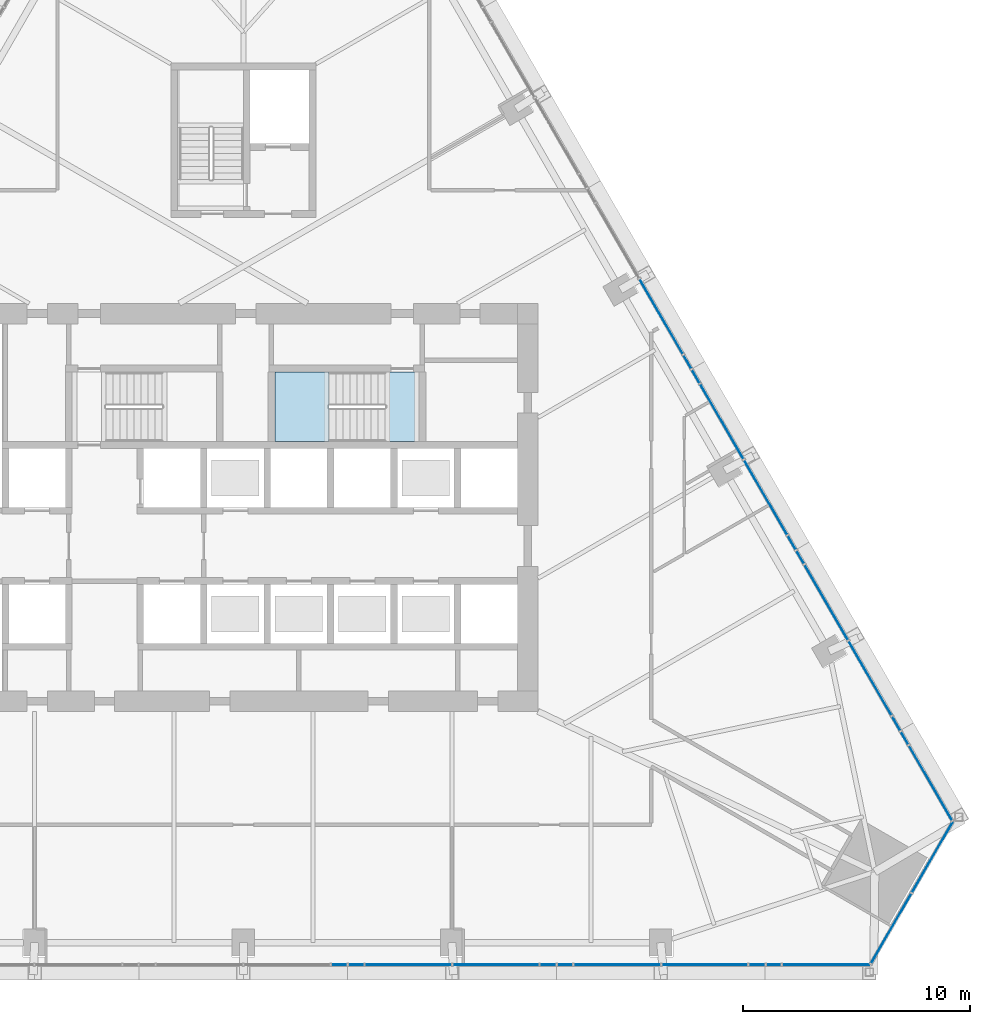
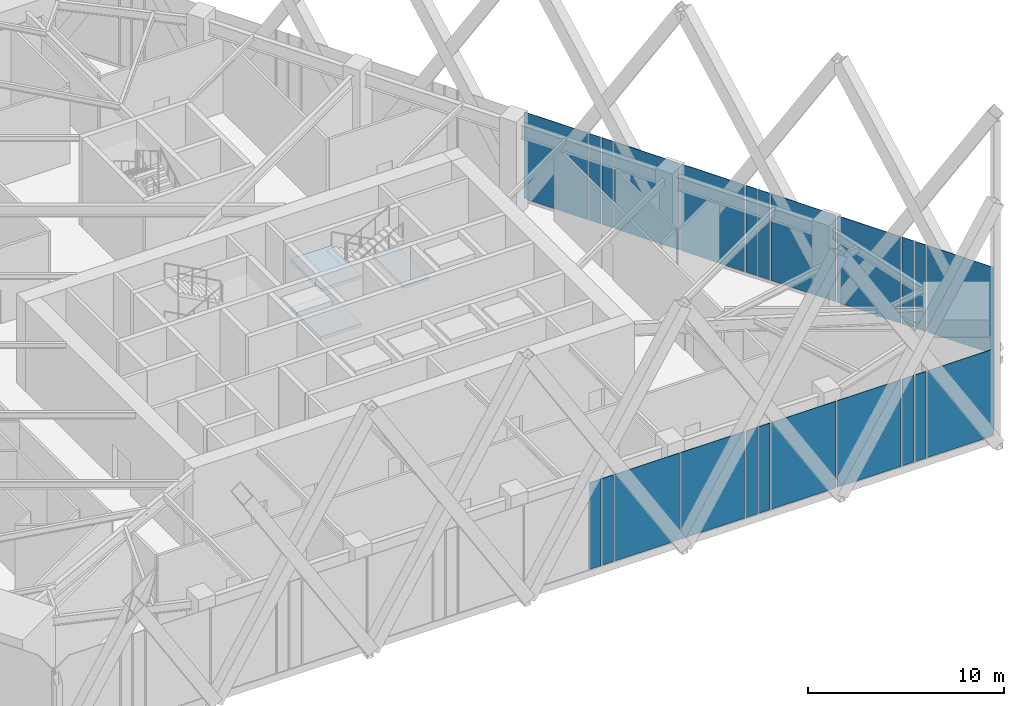
# One storey, part 13 of 21: 25 plates, 3 slabs, 4 elements without a shape of their own.
"""IFC4 building model written with IfcOpenShell, lengths in metres."""

from ifc_helpers import new_model, si_unit, direction, frame, origin, place, context, subcontext, project, spatial, polyline, outline, extrude, material, layer, layer_set, type_object, element, aggregate, save


model = new_model("IFC4")

# Units and contexts
model_context = context("Model", 3, precision=1e-05, world=origin(), true_north=direction((0.0, 1.0)))
body_context = subcontext(model_context, "Body", "Model", "MODEL_VIEW")
ifc_project = project(units=[si_unit("LENGTHUNIT", "METRE"), si_unit("AREAUNIT", "SQUARE_METRE"), si_unit("VOLUMEUNIT", "CUBIC_METRE"), si_unit("PLANEANGLEUNIT", "RADIAN"), si_unit("MASSUNIT", "GRAM", prefix="KILO")], contexts=[model_context])

# Site, building, storey
site_placement = place(None, origin())
site = spatial("IfcSite", under=ifc_project, at=site_placement, CompositionType="ELEMENT")
building_placement = place(site_placement, origin())
building = spatial("IfcBuilding", under=site, at=building_placement, Name="Firuza Gate Tower and Library", CompositionType="ELEMENT")
storey_placement = place(building_placement, frame((0.0, 0.0, 140.800048828125)))
storey = spatial("IfcBuildingStorey", under=building, at=storey_placement, Name="L32", CompositionType="ELEMENT", Elevation=140.800048828125)

# Curtain wall, plates
ifc_material_1 = material(Name="Aluminium 6063-T6", Category="aluminium")
ifc_layer_1 = layer(ifc_material_1, 0.14990234375)
ifc_layer_set_1 = layer_set([ifc_layer_1], Name="Corner curtain wall, chamfers")
curtain_wall_type_1 = type_object("IfcCurtainWallType", Name="Corner curtain wall, chamfers", PredefinedType="NOTDEFINED", material=ifc_layer_set_1)
placement = place(storey_placement, origin())
curtain_wall_1 = element("IfcCurtainWall", 1, at=placement, inside=storey, type_object=curtain_wall_type_1, Name="CW4 L32 SE corner", PredefinedType="NOTDEFINED")
ifc_material_2 = material(Name="Fritted glass", Category="glass")
ifc_layer_2 = layer(ifc_material_2, 0.030029296875)
ifc_layer_set_2 = layer_set([ifc_layer_2], Name="Fritted glass unit, corners")
plate_type_1 = type_object("IfcPlateType", Name="Fritted glass unit, corners", PredefinedType="CURTAIN_PANEL", material=ifc_layer_set_2)
plate_1_placement = place(storey_placement, frame((102.696533203125, 54.8486328125, 0.14990234375), z_axis=(0.866016723041, -0.500015035186, 0.0), x_axis=(0.500015035186, 0.866016723041, 0.0)))
plate_1 = element("IfcPlate", 2, at=plate_1_placement, type_object=plate_type_1, Name="Glass unit", PredefinedType="CURTAIN_PANEL", context=body_context, shape_type="SweptSolid", body=[
    extrude(outline(polyline([(0.0, 0.0), (3.5633694106530625, 0.0), (3.5633694106530625, 5.400146484375), (0.0, 5.400146484375), (0.0, 0.0)])), origin(), (0.0, 0.0, -1.0), 0.030029296875),
])
plate_2_placement = place(storey_placement, frame((104.51806640625, 58.00390625, 0.14990234375), z_axis=(0.866016723041, -0.500015035186, 0.0), x_axis=(0.500015035186, 0.866016723041, 0.0)))
plate_2 = element("IfcPlate", 3, at=plate_2_placement, type_object=plate_type_1, Name="Glass unit", PredefinedType="CURTAIN_PANEL", context=body_context, shape_type="SweptSolid", body=[
    extrude(outline(polyline([(0.0, 0.0), (3.5633694106530625, 0.0), (3.5633694106530625, 5.400146484375), (0.0, 5.400146484375), (0.0, 0.0)])), origin(), (0.0, 0.0, -1.0), 0.030029296875),
])
aggregate(curtain_wall_1, [plate_1, plate_2])

ifc_material_3 = material(Name="Aluminium 6063-T6", Category="aluminium")
ifc_layer_3 = layer(ifc_material_3, 0.14990234375)
ifc_layer_set_3 = layer_set([ifc_layer_3], Name="Unitised curtain wall, offices")
curtain_wall_type_2 = type_object("IfcCurtainWallType", Name="Unitised curtain wall, offices", PredefinedType="NOTDEFINED", material=ifc_layer_set_3)
curtain_wall_2 = element("IfcCurtainWall", 4, at=placement, inside=storey, type_object=curtain_wall_type_2, Name="CW1 L32 S face", PredefinedType="NOTDEFINED")
ifc_material_4 = material(Name="Fritted glass", Category="glass")
ifc_layer_4 = layer(ifc_material_4, 0.030029296875)
ifc_layer_set_4 = layer_set([ifc_layer_4], Name="Fritted glass unit, offices")
plate_type_2 = type_object("IfcPlateType", Name="Fritted glass unit, offices", PredefinedType="CURTAIN_PANEL", material=ifc_layer_set_4)
plate_3_placement = place(storey_placement, frame((78.902099609375, 54.806640625, 0.14990234375), z_axis=(0.0, -1.0, 0.0), x_axis=(1.0, 0.0, 0.0)))
plate_3 = element("IfcPlate", 5, at=plate_3_placement, type_object=plate_type_2, Name="Glass unit", PredefinedType="CURTAIN_PANEL", context=body_context, shape_type="SweptSolid", body=[
    extrude(outline(polyline([(0.0, 0.0), (0.66845703125, 0.0), (0.66845703125, 5.400146484375), (0.0, 5.400146484375), (0.0, 0.0)])), origin(), (0.0, 0.0, -1.0), 0.030029296875),
])
plate_4_placement = place(storey_placement, frame((79.650634765625, 54.806640625, 0.14990234375), z_axis=(0.0, -1.0, 0.0), x_axis=(1.0, 0.0, 0.0)))
plate_4 = element("IfcPlate", 6, at=plate_4_placement, type_object=plate_type_2, Name="Glass unit", PredefinedType="CURTAIN_PANEL", context=body_context, shape_type="SweptSolid", body=[
    extrude(outline(polyline([(0.0, 0.0), (0.654052734375, 0.0), (0.654052734375, 5.400146484375), (0.0, 5.400146484375), (0.0, 0.0)])), origin(), (0.0, 0.0, -1.0), 0.030029296875),
])
plate_5_placement = place(storey_placement, frame((88.10888671875, 54.806640625, 0.14990234375), z_axis=(0.0, -1.0, 0.0), x_axis=(1.0, 0.0, 0.0)))
plate_5 = element("IfcPlate", 7, at=plate_5_placement, type_object=plate_type_2, Name="Glass unit", PredefinedType="CURTAIN_PANEL", context=body_context, shape_type="SweptSolid", body=[
    extrude(outline(polyline([(0.0, 0.0), (0.682861328125, 0.0), (0.682861328125, 5.400146484375), (0.0, 5.400146484375), (0.0, 0.0)])), origin(), (0.0, 0.0, -1.0), 0.030029296875),
])
plate_6_placement = place(storey_placement, frame((88.871826171875, 54.806640625, 0.14990234375), z_axis=(0.0, -1.0, 0.0), x_axis=(1.0, 0.0, 0.0)))
plate_6 = element("IfcPlate", 8, at=plate_6_placement, type_object=plate_type_2, Name="Glass unit", PredefinedType="CURTAIN_PANEL", context=body_context, shape_type="SweptSolid", body=[
    extrude(outline(polyline([(0.0, 0.0), (0.639404296875, 0.0), (0.639404296875, 5.400146484375), (0.0, 5.400146484375), (0.0, 0.0)])), origin(), (0.0, 0.0, -1.0), 0.030029296875),
])
plate_7_placement = place(storey_placement, frame((97.315673828125, 54.806640625, 0.14990234375), z_axis=(0.0, -1.0, 0.0), x_axis=(1.0, 0.0, 0.0)))
plate_7 = element("IfcPlate", 9, at=plate_7_placement, type_object=plate_type_2, Name="Glass unit", PredefinedType="CURTAIN_PANEL", context=body_context, shape_type="SweptSolid", body=[
    extrude(outline(polyline([(0.0, 0.0), (0.697265625, 0.0), (0.697265625, 5.400146484375), (0.0, 5.400146484375), (0.0, 0.0)])), origin(), (0.0, 0.0, -1.0), 0.030029296875),
])
plate_8_placement = place(storey_placement, frame((98.093017578125, 54.806640625, 0.14990234375), z_axis=(0.0, -1.0, 0.0), x_axis=(1.0, 0.0, 0.0)))
plate_8 = element("IfcPlate", 10, at=plate_8_placement, type_object=plate_type_2, Name="Glass unit", PredefinedType="CURTAIN_PANEL", context=body_context, shape_type="SweptSolid", body=[
    extrude(outline(polyline([(0.0, 0.0), (0.625, 0.0), (0.625, 5.400146484375), (0.0, 5.400146484375), (0.0, 0.0)])), origin(), (0.0, 0.0, -1.0), 0.030029296875),
])

curtain_wall_3 = element("IfcCurtainWall", 11, at=placement, inside=storey, type_object=curtain_wall_type_2, Name="CW1 L32 E face", PredefinedType="NOTDEFINED")
plate_9_placement = place(storey_placement, frame((104.34716796875, 64.556396484375, 0.14990234375), z_axis=(0.865853794588, 0.500297118118, 0.0), x_axis=(-0.500297118118, 0.865853794588, 0.0)))
plate_9 = element("IfcPlate", 12, at=plate_9_placement, type_object=plate_type_2, Name="Glass unit", PredefinedType="CURTAIN_PANEL", context=body_context, shape_type="SweptSolid", body=[
    extrude(outline(polyline([(0.0, 0.0), (0.6251168141873162, 0.0), (0.6251168141873162, 5.400146484375), (0.0, 5.400146484375), (0.0, 0.0)])), origin(), (0.0, 0.0, -1.0), 0.030029296875),
])
plate_10_placement = place(storey_placement, frame((103.99462890625, 65.1669921875, 0.14990234375), z_axis=(0.865993137065, 0.500055883433, 0.0), x_axis=(-0.500055883433, 0.865993137065, 0.0)))
plate_10 = element("IfcPlate", 13, at=plate_10_placement, type_object=plate_type_2, Name="Glass unit", PredefinedType="CURTAIN_PANEL", context=body_context, shape_type="SweptSolid", body=[
    extrude(outline(polyline([(0.0, 0.0), (0.6971877025157681, 0.0), (0.6971877025157681, 5.400146484375), (0.0, 5.400146484375), (0.0, 0.0)])), origin(), (0.0, 0.0, -1.0), 0.030029296875),
])
plate_11_placement = place(storey_placement, frame((99.74365234375, 72.529541015625, 0.14990234375), z_axis=(0.866026686418, 0.499997778408, 0.0), x_axis=(-0.499997778408, 0.866026686418, 0.0)))
plate_11 = element("IfcPlate", 14, at=plate_11_placement, type_object=plate_type_2, Name="Glass unit", PredefinedType="CURTAIN_PANEL", context=body_context, shape_type="SweptSolid", body=[
    extrude(outline(polyline([(0.0, 0.0), (0.639651279588748, 0.0), (0.639651279588748, 5.400146484375), (0.0, 5.400146484375), (0.0, 0.0)])), origin(), (0.0, 0.0, -1.0), 0.030029296875),
])
plate_12_placement = place(storey_placement, frame((99.384033203125, 73.15283203125, 0.14990234375), z_axis=(0.865923573687, 0.500176333439, 0.0), x_axis=(-0.500176333439, 0.865923573687, 0.0)))
plate_12 = element("IfcPlate", 15, at=plate_12_placement, type_object=plate_type_2, Name="Glass unit", PredefinedType="CURTAIN_PANEL", context=body_context, shape_type="SweptSolid", body=[
    extrude(outline(polyline([(0.0, 0.0), (0.6828646450078095, 0.0), (0.6828646450078095, 5.400146484375), (0.0, 5.400146484375), (0.0, 0.0)])), origin(), (0.0, 0.0, -1.0), 0.030029296875),
])
plate_13_placement = place(storey_placement, frame((95.140380859375, 80.5029296875, 0.14990234375), z_axis=(0.865843507976, 0.500314920521, 0.0), x_axis=(-0.500314920521, 0.865843507976, 0.0)))
plate_13 = element("IfcPlate", 16, at=plate_13_placement, type_object=plate_type_2, Name="Glass unit", PredefinedType="CURTAIN_PANEL", context=body_context, shape_type="SweptSolid", body=[
    extrude(outline(polyline([(0.0, 0.0), (0.6538850313706843, 0.0), (0.6538850313706843, 5.400146484375), (0.0, 5.400146484375), (0.0, 0.0)])), origin(), (0.0, 0.0, -1.0), 0.030029296875),
])
plate_14_placement = place(storey_placement, frame((94.7734375, 81.138427734375, 0.14990234375), z_axis=(0.86600919026, 0.500028081597, 0.0), x_axis=(-0.500028081597, 0.86600919026, 0.0)))
plate_14 = element("IfcPlate", 17, at=plate_14_placement, type_object=plate_type_2, Name="Glass unit", PredefinedType="CURTAIN_PANEL", context=body_context, shape_type="SweptSolid", body=[
    extrude(outline(polyline([(0.0, 0.0), (0.6684194906768225, 0.0), (0.6684194906768225, 5.400146484375), (0.0, 5.400146484375), (0.0, 0.0)])), origin(), (0.0, 0.0, -1.0), 0.030029296875),
])

# Plate
ifc_material_5 = material(Name="Glazed ceramic tile")
ifc_layer_5 = layer(ifc_material_5, 0.030029296875)
ifc_layer_set_5 = layer_set([ifc_layer_5], Name="Opaque ceramic panel, offices")
plate_type_3 = type_object("IfcPlateType", Name="Opaque ceramic panel, offices", PredefinedType="CURTAIN_PANEL", material=ifc_layer_set_5)
plate_15_placement = place(storey_placement, frame((80.384521484375, 54.806640625, 0.14990234375), z_axis=(0.0, -1.0, 0.0), x_axis=(1.0, 0.0, 0.0)))
plate_15 = element("IfcPlate", 18, at=plate_15_placement, type_object=plate_type_3, Name="Opaque ceramic panel", PredefinedType="CURTAIN_PANEL", context=body_context, shape_type="SweptSolid", body=[
    extrude(outline(polyline([(0.0, 0.0), (3.796630859375, 0.0), (3.796630859375, 5.400146484375), (0.0, 5.400146484375), (0.0, 0.0)])), origin(), (0.0, 0.0, -1.0), 0.030029296875),
])

plate_16_placement = place(storey_placement, frame((84.26123046875, 54.806640625, 0.14990234375), z_axis=(0.0, -1.0, 0.0), x_axis=(1.0, 0.0, 0.0)))
plate_16 = element("IfcPlate", 19, at=plate_16_placement, type_object=plate_type_3, Name="Opaque ceramic panel", PredefinedType="CURTAIN_PANEL", context=body_context, shape_type="SweptSolid", body=[
    extrude(outline(polyline([(0.0, 0.0), (3.767578125, 0.0), (3.767578125, 5.400146484375), (0.0, 5.400146484375), (0.0, 0.0)])), origin(), (0.0, 0.0, -1.0), 0.030029296875),
])

plate_17_placement = place(storey_placement, frame((89.59130859375, 54.806640625, 0.14990234375), z_axis=(0.0, -1.0, 0.0), x_axis=(1.0, 0.0, 0.0)))
plate_17 = element("IfcPlate", 20, at=plate_17_placement, type_object=plate_type_3, Name="Opaque ceramic panel", PredefinedType="CURTAIN_PANEL", context=body_context, shape_type="SweptSolid", body=[
    extrude(outline(polyline([(0.0, 0.0), (3.81103515625, 0.0), (3.81103515625, 5.400146484375), (0.0, 5.400146484375), (0.0, 0.0)])), origin(), (0.0, 0.0, -1.0), 0.030029296875),
])

plate_18_placement = place(storey_placement, frame((93.482421875, 54.806640625, 0.14990234375), z_axis=(0.0, -1.0, 0.0), x_axis=(1.0, 0.0, 0.0)))
plate_18 = element("IfcPlate", 21, at=plate_18_placement, type_object=plate_type_3, Name="Opaque ceramic panel", PredefinedType="CURTAIN_PANEL", context=body_context, shape_type="SweptSolid", body=[
    extrude(outline(polyline([(0.0, 0.0), (3.753173828125, 0.0), (3.753173828125, 5.400146484375), (0.0, 5.400146484375), (0.0, 0.0)])), origin(), (0.0, 0.0, -1.0), 0.030029296875),
])

plate_19_placement = place(storey_placement, frame((98.798095703125, 54.806640625, 0.14990234375), z_axis=(0.0, -1.0, 0.0), x_axis=(1.0, 0.0, 0.0)))
plate_19 = element("IfcPlate", 22, at=plate_19_placement, type_object=plate_type_3, Name="Opaque ceramic panel", PredefinedType="CURTAIN_PANEL", context=body_context, shape_type="SweptSolid", body=[
    extrude(outline(polyline([(0.0, 0.0), (3.825439453125, 0.0), (3.825439453125, 5.400146484375), (0.0, 5.400146484375), (0.0, 0.0)])), origin(), (0.0, 0.0, -1.0), 0.030029296875),
])

aggregate(curtain_wall_2, [plate_3, plate_4, plate_15, plate_16, plate_5, plate_6, plate_17, plate_18, plate_7, plate_8, plate_19])

plate_20_placement = place(storey_placement, frame((106.2998046875, 61.174072265625, 0.14990234375), z_axis=(0.866043176803, 0.499969214965, 0.0), x_axis=(-0.499969214965, 0.866043176803, 0.0)))
plate_20 = element("IfcPlate", 23, at=plate_20_placement, type_object=plate_type_3, Name="Opaque ceramic panel", PredefinedType="CURTAIN_PANEL", context=body_context, shape_type="SweptSolid", body=[
    extrude(outline(polyline([(0.0, 0.0), (3.8254308445445493, 0.0), (3.8254308445445493, 5.400146484375), (0.0, 5.400146484375), (0.0, 0.0)])), origin(), (0.0, 0.0, -1.0), 0.030029296875),
])

plate_21_placement = place(storey_placement, frame((103.60595703125, 65.840087890625, 0.14990234375), z_axis=(0.866020939036, 0.500007733091, 0.0), x_axis=(-0.500007733091, 0.866020939036, 0.0)))
plate_21 = element("IfcPlate", 24, at=plate_21_placement, type_object=plate_type_3, Name="Opaque ceramic panel", PredefinedType="CURTAIN_PANEL", context=body_context, shape_type="SweptSolid", body=[
    extrude(outline(polyline([(0.0, 0.0), (3.753359918603254, 0.0), (3.753359918603254, 5.400146484375), (0.0, 5.400146484375), (0.0, 0.0)])), origin(), (0.0, 0.0, -1.0), 0.030029296875),
])

plate_22_placement = place(storey_placement, frame((101.689208984375, 69.159912109375, 0.14990234375), z_axis=(0.866014888266, 0.500018212969, 0.0), x_axis=(-0.500018212969, 0.866014888266, 0.0)))
plate_22 = element("IfcPlate", 25, at=plate_22_placement, type_object=plate_type_3, Name="Opaque ceramic panel", PredefinedType="CURTAIN_PANEL", context=body_context, shape_type="SweptSolid", body=[
    extrude(outline(polyline([(0.0, 0.0), (3.8108963407739203, 0.0), (3.8108963407739203, 5.400146484375), (0.0, 5.400146484375), (0.0, 0.0)])), origin(), (0.0, 0.0, -1.0), 0.030029296875),
])

plate_23_placement = place(storey_placement, frame((99.00244140625, 73.8134765625, 0.14990234375), z_axis=(0.866033438195, 0.499986083735, 0.0), x_axis=(-0.499986083735, 0.866033438195, 0.0)))
plate_23 = element("IfcPlate", 26, at=plate_23_placement, type_object=plate_type_3, Name="Opaque ceramic panel", PredefinedType="CURTAIN_PANEL", context=body_context, shape_type="SweptSolid", body=[
    extrude(outline(polyline([(0.0, 0.0), (3.7676829891531884, 0.0), (3.7676829891531884, 5.400146484375), (0.0, 5.400146484375), (0.0, 0.0)])), origin(), (0.0, 0.0, -1.0), 0.030029296875),
])

plate_24_placement = place(storey_placement, frame((97.07861328125, 77.1455078125, 0.14990234375), z_axis=(0.866046381741, 0.499963663353, 0.0), x_axis=(-0.499963663353, 0.866046381741, 0.0)))
plate_24 = element("IfcPlate", 27, at=plate_24_placement, type_object=plate_type_3, Name="Opaque ceramic panel", PredefinedType="CURTAIN_PANEL", context=body_context, shape_type="SweptSolid", body=[
    extrude(outline(polyline([(0.0, 0.0), (3.796662634730745, 0.0), (3.796662634730745, 5.400146484375), (0.0, 5.400146484375), (0.0, 0.0)])), origin(), (0.0, 0.0, -1.0), 0.030029296875),
])

plate_25_placement = place(storey_placement, frame((94.399169921875, 81.78662109375, 0.14990234375), z_axis=(0.866017890655, 0.500013012896, 0.0), x_axis=(-0.500013012896, 0.866017890655, 0.0)))
plate_25 = element("IfcPlate", 28, at=plate_25_placement, type_object=plate_type_3, Name="Opaque ceramic panel", PredefinedType="CURTAIN_PANEL", context=body_context, shape_type="SweptSolid", body=[
    extrude(outline(polyline([(0.0, 0.0), (3.782128129619359, 0.0), (3.782128129619359, 5.400146484375001), (0.0, 5.400146484375001), (0.0, 0.0)])), origin(), (0.0, 0.0, -1.0), 0.030029296875),
])

aggregate(curtain_wall_3, [plate_20, plate_9, plate_10, plate_21, plate_22, plate_11, plate_12, plate_23, plate_24, plate_13, plate_14, plate_25])

# Stair, slabs
ifc_material_6 = material(Name="Concrete C35/45", Category="concrete")
stair_type = type_object("IfcStairType", Name="Exit stair ST6", PredefinedType="HALF_TURN_STAIR", material=ifc_material_6)
stair = element("IfcStair", 29, at=placement, inside=storey, type_object=stair_type, Name="L32 Stair ST2", PredefinedType="HALF_TURN_STAIR")
ifc_material_7 = material(Name="Concrete C35/45", Category="concrete")
ifc_layer_6 = layer(ifc_material_7, 0.199951171875)
ifc_layer_set_6 = layer_set([ifc_layer_6], Name="Stair landing 200")
slab_type = type_object("IfcSlabType", Name="Stair landing 200", PredefinedType="LANDING", material=ifc_layer_set_6)
slab_1_placement = place(storey_placement, frame((0.0, 0.0, 1.300048828125)))
slab_1 = element("IfcSlab", 30, at=slab_1_placement, type_object=slab_type, Name="ST2 landing 1", PredefinedType="LANDING", context=body_context, shape_type="SweptSolid", body=[
    extrude(outline(polyline([(78.780029296875, 80.97998046875), (76.389892578125, 80.97998046875), (76.389892578125, 77.89990234375), (78.780029296875, 77.89990234375), (78.780029296875, 80.97998046875)])), origin(), (0.0, 0.0, 1.0), 0.199951171875),
])
slab_2_placement = place(storey_placement, frame((0.0, 0.0, 2.800048828125)))
slab_2 = element("IfcSlab", 31, at=slab_2_placement, type_object=slab_type, Name="ST2 landing 2", PredefinedType="LANDING", context=body_context, shape_type="SweptSolid", body=[
    extrude(outline(polyline([(82.75, 80.97998046875), (81.260009765625, 80.97998046875), (81.260009765625, 77.89990234375), (82.75, 77.89990234375), (82.75, 80.97998046875)])), origin(), (0.0, 0.0, 1.0), 0.199951171875),
])
slab_3_placement = place(storey_placement, frame((0.0, 0.0, 4.300048828125)))
slab_3 = element("IfcSlab", 32, at=slab_3_placement, type_object=slab_type, Name="ST2 landing 3", PredefinedType="LANDING", context=body_context, shape_type="SweptSolid", body=[
    extrude(outline(polyline([(78.780029296875, 80.97998046875), (76.389892578125, 80.97998046875), (76.389892578125, 77.89990234375), (78.780029296875, 77.89990234375), (78.780029296875, 80.97998046875)])), origin(), (0.0, 0.0, 1.0), 0.199951171875),
])
aggregate(stair, [slab_1, slab_2, slab_3])

save(model, "model.ifc")
